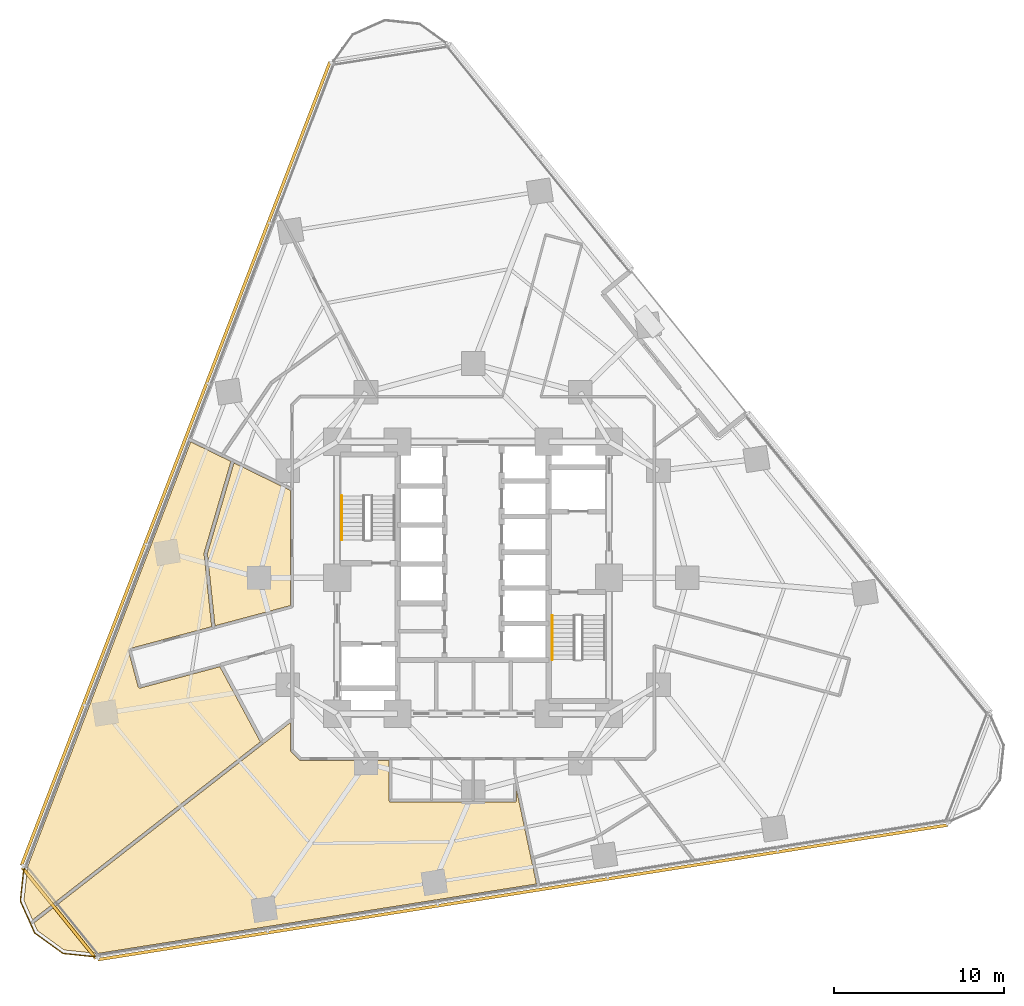
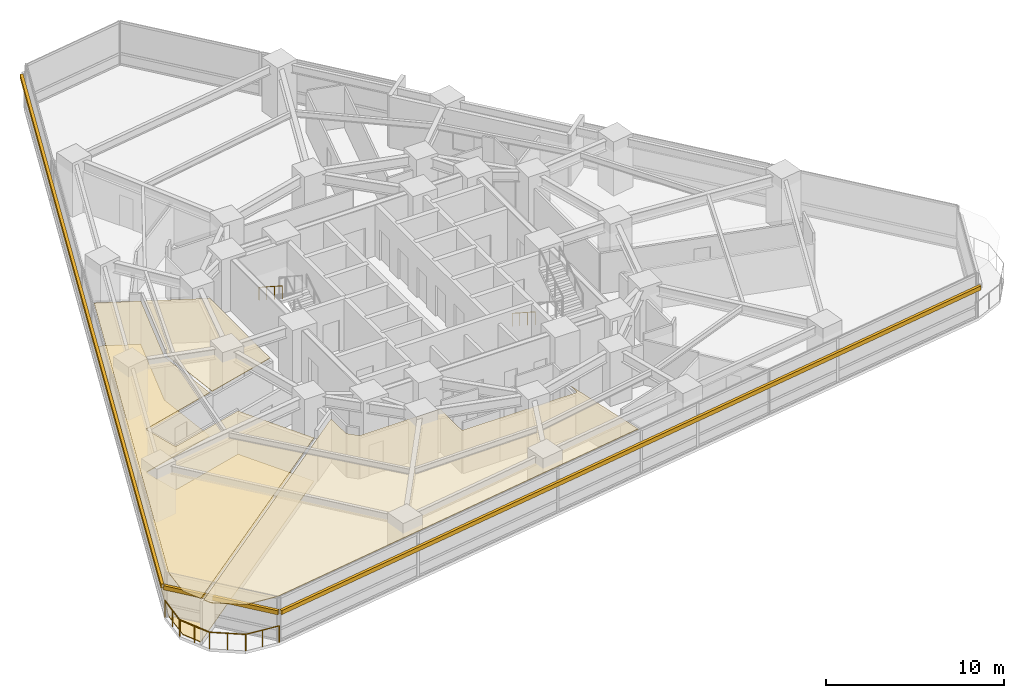
# One storey, part 11 of 13: 4 coverings, 3 railings, 3 shading devices.
"""IFC4 building model written with IfcOpenShell, lengths in metres."""

from ifc_helpers import new_model, si_unit, direction, frame, origin, origin_2d, place, context, subcontext, project, spatial, polyline, rectangle, circle, outline, extrude, material, layer, layer_set, type_object, element, save


model = new_model("IFC4")

# Units and contexts
model_context = context("Model", 3, precision=1e-05, world=origin(), true_north=direction((0.0, 1.0)))
body_context = subcontext(model_context, "Body", "Model", "MODEL_VIEW")
ifc_project = project(units=[si_unit("LENGTHUNIT", "METRE"), si_unit("AREAUNIT", "SQUARE_METRE"), si_unit("VOLUMEUNIT", "CUBIC_METRE"), si_unit("PLANEANGLEUNIT", "RADIAN"), si_unit("MASSUNIT", "GRAM", prefix="KILO")], contexts=[model_context])

# Site, building, storey
site_placement = place(None, origin())
site = spatial("IfcSite", under=ifc_project, at=site_placement, CompositionType="ELEMENT")
building_placement = place(site_placement, origin())
building = spatial("IfcBuilding", under=site, at=building_placement, Name="Terralouvre Media Tower", CompositionType="ELEMENT")
storey_placement = place(building_placement, frame((0.0, 0.0, 77.800048828125)))
storey = spatial("IfcBuildingStorey", under=building, at=storey_placement, Name="L19", CompositionType="ELEMENT", Elevation=77.800048828125)

# Coverings
ifc_material_1 = material(Name="Resilient elastomer acoustic broadcast studio flooring")
ifc_layer_1 = layer(ifc_material_1, 0.050048828125, Name="Broadcast Studio Acoustic Floating Floor FL-AC1")
ifc_layer_set_1 = layer_set([ifc_layer_1], Name="Resilient elastomer acoustic broadcast studio flooring")
covering_type_1 = type_object("IfcCoveringType", Name="Broadcast Studio Acoustic Floating Floor FL-AC1", PredefinedType="FLOORING", material=ifc_layer_set_1)
covering_1_placement = place(storey_placement, frame((0.0, 0.0, 0.0), z_axis=(0.0, 0.0, 1.0), x_axis=(0.987688340595, 0.15643446504, 0.0)))
element("IfcCovering", 1, at=covering_1_placement, inside=storey, type_object=covering_type_1, Name="L19 Treaty Reference Library 4 Acoustic Floating Floor", PredefinedType="FLOORING", context=body_context, shape_type="SweptSolid", body=[
    extrude(outline(polyline([(-15.537109375, -2.839599609375), (-20.361328125, -3.3466796875), (-20.37109375, -3.34716796875), (-20.380859375, -3.3466796875), (-20.390625, -3.34521484375), (-20.400146484375, -3.343017578125), (-20.409423828125, -3.33984375), (-20.418212890625, -3.335693359375), (-20.4267578125, -3.33056640625), (-20.434814453125, -3.324951171875), (-20.44189453125, -3.318359375), (-20.44873046875, -3.31103515625), (-20.45458984375, -3.30322265625), (-20.459716796875, -3.294921875), (-20.4638671875, -3.285888671875), (-20.46728515625, -3.27685546875), (-20.4697265625, -3.267333984375), (-20.47119140625, -3.257568359375), (-20.701904296875, -1.069580078125), (-20.702392578125, -1.059814453125), (-20.701904296875, -1.050048828125), (-20.700439453125, -1.040283203125), (-20.6982421875, -1.03076171875), (-20.695068359375, -1.021484375), (-20.69091796875, -1.0126953125), (-20.685791015625, -1.004150390625), (-20.679931640625, -0.99609375), (-20.673583984375, -0.989013671875), (-20.666259765625, -0.982177734375), (-20.658447265625, -0.976318359375), (-20.650146484375, -0.97119140625), (-20.64111328125, -0.967041015625), (-20.6318359375, -0.963623046875), (-20.62255859375, -0.961181640625), (-20.61279296875, -0.959716796875), (-15.6455078125, -0.4375), (-15.419677734375, 3.872314453125), (-15.41845703125, 3.882080078125), (-15.41650390625, 3.8916015625), (-15.413818359375, 3.90087890625), (-15.41015625, 3.909912109375), (-13.007080078125, 8.985595703125), (-13.517578125, 9.3427734375), (-15.16259765625, 10.494384765625), (-28.561279296875, -12.713134765625), (-29.072509765625, -14.618896484375), (-28.749755859375, -15.82177734375), (-13.875244140625, -7.576904296875), (-15.537109375, -2.839599609375)])), origin(), (0.0, 0.0, 1.0), 0.050048828125),
])
ifc_material_2 = material(Name="Perforated aluminium acoustic ceiling baffle", Category="aluminium")
ifc_layer_2 = layer(ifc_material_2, 0.0400390625, Name="Perforated Acoustic Metal Tile Ceiling CL-AC1")
ifc_layer_set_2 = layer_set([ifc_layer_2], Name="Perforated aluminium acoustic ceiling baffle")
covering_type_2 = type_object("IfcCoveringType", Name="Perforated Acoustic Metal Tile Ceiling CL-AC1", PredefinedType="CEILING", material=ifc_layer_set_2)
covering_2_placement = place(storey_placement, frame((0.0, 0.0, 2.97998046875), z_axis=(0.0, 0.0, 1.0), x_axis=(0.987688340595, 0.15643446504, 0.0)))
element("IfcCovering", 2, at=covering_2_placement, inside=storey, type_object=covering_type_2, Name="L19 Treaty Reference Library 4 Acoustic Ceiling", PredefinedType="CEILING", context=body_context, shape_type="SweptSolid", body=[
    extrude(outline(polyline([(-15.537109375, -2.839599609375), (-20.361328125, -3.3466796875), (-20.37109375, -3.34716796875), (-20.380859375, -3.3466796875), (-20.390625, -3.34521484375), (-20.400146484375, -3.343017578125), (-20.409423828125, -3.33984375), (-20.418212890625, -3.335693359375), (-20.4267578125, -3.33056640625), (-20.434814453125, -3.324951171875), (-20.44189453125, -3.318359375), (-20.44873046875, -3.31103515625), (-20.45458984375, -3.30322265625), (-20.459716796875, -3.294921875), (-20.4638671875, -3.285888671875), (-20.46728515625, -3.27685546875), (-20.4697265625, -3.267333984375), (-20.47119140625, -3.257568359375), (-20.701904296875, -1.069580078125), (-20.702392578125, -1.059814453125), (-20.701904296875, -1.050048828125), (-20.700439453125, -1.040283203125), (-20.6982421875, -1.03076171875), (-20.695068359375, -1.021484375), (-20.69091796875, -1.0126953125), (-20.685791015625, -1.004150390625), (-20.679931640625, -0.99609375), (-20.673583984375, -0.989013671875), (-20.666259765625, -0.982177734375), (-20.658447265625, -0.976318359375), (-20.650146484375, -0.97119140625), (-20.64111328125, -0.967041015625), (-20.6318359375, -0.963623046875), (-20.62255859375, -0.961181640625), (-20.61279296875, -0.959716796875), (-15.6455078125, -0.4375), (-15.419677734375, 3.872314453125), (-15.41845703125, 3.882080078125), (-15.41650390625, 3.8916015625), (-15.413818359375, 3.90087890625), (-15.41015625, 3.909912109375), (-13.007080078125, 8.985595703125), (-13.517578125, 9.3427734375), (-15.16259765625, 10.494384765625), (-28.561279296875, -12.713134765625), (-29.072509765625, -14.618896484375), (-28.749755859375, -15.82177734375), (-13.875244140625, -7.576904296875), (-15.537109375, -2.839599609375)])), origin(), (0.0, 0.0, 1.0), 0.0400390625),
])
covering_3_placement = place(storey_placement, frame((0.0, 0.0, 2.97998046875), z_axis=(0.0, 0.0, 1.0), x_axis=(0.987688340595, 0.15643446504, 0.0)))
element("IfcCovering", 3, at=covering_3_placement, inside=storey, type_object=covering_type_2, Name="L19 Editorial Collaborative Open Office 5 Acoustic Ceiling", PredefinedType="CEILING", context=body_context, shape_type="SweptSolid", body=[
    extrude(outline(polyline([(-15.220947265625, 3.84228515625), (-15.444091796875, -0.416259765625), (-10.8740234375, 0.0634765625), (-9.81494140625, 6.75), (-12.841064453125, 8.869140625), (-15.220947265625, 3.84228515625)])), origin(), (0.0, 0.0, 1.0), 0.0400390625),
])
covering_4_placement = place(storey_placement, frame((0.0, 0.0, 2.97998046875), z_axis=(0.0, 0.0, 1.0), x_axis=(0.987688340595, 0.15643446504, 0.0)))
element("IfcCovering", 4, at=covering_4_placement, inside=storey, type_object=covering_type_2, Name="L19 Press Dispatch Post Room 6 Acoustic Ceiling", PredefinedType="CEILING", context=body_context, shape_type="SweptSolid", body=[
    extrude(outline(polyline([(0.566650390625, -12.722900390625), (0.46923828125, -13.337646484375), (0.46728515625, -13.34716796875), (0.46435546875, -13.356689453125), (0.46044921875, -13.365478515625), (0.455810546875, -13.374267578125), (0.4501953125, -13.38232421875), (0.44384765625, -13.389892578125), (0.43701171875, -13.396728515625), (0.42919921875, -13.40283203125), (0.421142578125, -13.408203125), (0.412353515625, -13.412841796875), (0.4033203125, -13.41650390625), (0.393798828125, -13.419189453125), (0.38427734375, -13.421142578125), (0.37451171875, -13.421875), (0.36474609375, -13.421875), (0.35498046875, -13.420654296875), (-6.855224609375, -12.27880859375), (-6.86474609375, -12.27685546875), (-6.874267578125, -12.27392578125), (-6.88330078125, -12.27001953125), (-6.891845703125, -12.265380859375), (-6.89990234375, -12.259765625), (-6.907470703125, -12.25341796875), (-6.914306640625, -12.246337890625), (-6.92041015625, -12.23876953125), (-6.92578125, -12.23046875), (-6.930419921875, -12.221923828125), (-6.93408203125, -12.212646484375), (-6.936767578125, -12.203369140625), (-6.938720703125, -12.193603515625), (-6.939453125, -12.183837890625), (-6.939453125, -12.174072265625), (-6.938232421875, -12.164306640625), (-6.57080078125, -9.84326171875), (-11.706787109375, -9.02978515625), (-11.71630859375, -9.02783203125), (-11.7255859375, -9.02490234375), (-11.734619140625, -9.02099609375), (-11.743408203125, -9.016357421875), (-11.75146484375, -9.0107421875), (-11.759033203125, -9.00439453125), (-11.765869140625, -8.99755859375), (-11.77197265625, -8.98974609375), (-12.1875, -8.417724609375), (-12.19287109375, -8.409423828125), (-12.197509765625, -8.40087890625), (-12.201171875, -8.391845703125), (-12.203857421875, -8.38232421875), (-12.205810546875, -8.372802734375), (-12.20654296875, -8.363037109375), (-12.20654296875, -8.35302734375), (-12.20556640625, -8.34326171875), (-11.951416015625, -6.7392578125), (-13.704345703125, -7.7109375), (-28.696533203125, -16.020751953125), (-28.569580078125, -16.49462890625), (-27.19580078125, -17.867919921875), (-25.291015625, -18.378173828125), (0.86279296875, -18.37890625), (0.78173828125, -16.831298828125), (0.566650390625, -12.722900390625)])), origin(), (0.0, 0.0, 1.0), 0.0400390625),
])

# Railings
ifc_material_3 = material(Name="Stainless steel 316 handrail and balustrade", Category="steel")
ifc_layer_3 = layer(ifc_material_3, 0.06005859375, Name="Roof Edge Safety Guardrail GR-ROOF1")
ifc_layer_set_3 = layer_set([ifc_layer_3], Name="Stainless steel 316 handrail and balustrade")
railing_type_1 = type_object("IfcRailingType", Name="Roof Edge Safety Guardrail GR-ROOF1", PredefinedType="GUARDRAIL", material=ifc_layer_set_3)
railing_1_placement = place(storey_placement, frame((-26.424560546875, -16.965087890625, 0.0)))
element("IfcRailing", 5, at=railing_1_placement, inside=storey, type_object=railing_type_1, Name="L19 Wind-Corner Perimeter Safety Guardrail C0", PredefinedType="GUARDRAIL", context=body_context, shape_type="SweptSolid", body=[
    extrude(circle(Radius=0.02099609375, at=origin_2d()), frame((0.0, 0.0, 1.12890625), z_axis=(-0.104666273578, -0.994507401267, 0.0), x_axis=(0.994507401267, -0.104666273578, 0.0)), (0.0, 0.0, 1.0), 2.0595703125),
    extrude(circle(Radius=0.02099609375, at=origin_2d()), frame((-0.215576171875, -2.04833984375, 1.12890625), z_axis=(0.406644402356, -0.913586520278, 0.0), x_axis=(0.913586520278, 0.406644402356, 0.0)), (0.0, 0.0, 1.0), 2.059326171875),
    extrude(circle(Radius=0.02099609375, at=origin_2d()), frame((0.621826171875, -3.9296875, 1.12890625), z_axis=(0.809069210714, -0.587713375954, 0.0), x_axis=(0.587713375954, 0.809069210714, 0.0)), (0.0, 0.0, 1.0), 2.05908203125),
    extrude(circle(Radius=0.02099609375, at=origin_2d()), frame((2.287841796875, -5.139892578125, 1.12890625), z_axis=(0.994544355817, -0.104314545068, 0.0), x_axis=(0.104314545068, 0.994544355817, 0.0)), (0.0, 0.0, 1.0), 2.0595703125),
    extrude(circle(Radius=0.01904296875, at=origin_2d()), origin(), (0.0, 0.0, 1.0), 1.10791015625),
    extrude(circle(Radius=0.01904296875, at=origin_2d()), frame((-0.10791015625, -1.024169921875, 0.0)), (0.0, 0.0, 1.0), 1.10791015625),
    extrude(circle(Radius=0.01904296875, at=origin_2d()), frame((-0.215576171875, -2.04833984375, 0.0)), (0.0, 0.0, 1.0), 1.10791015625),
    extrude(circle(Radius=0.01904296875, at=origin_2d()), frame((0.203125, -2.989013671875, 0.0)), (0.0, 0.0, 1.0), 1.10791015625),
    extrude(circle(Radius=0.01904296875, at=origin_2d()), frame((0.621826171875, -3.9296875, 0.0)), (0.0, 0.0, 1.0), 1.10791015625),
    extrude(circle(Radius=0.01904296875, at=origin_2d()), frame((1.454833984375, -4.53466796875, 0.0)), (0.0, 0.0, 1.0), 1.10791015625),
    extrude(circle(Radius=0.01904296875, at=origin_2d()), frame((2.287841796875, -5.139892578125, 0.0)), (0.0, 0.0, 1.0), 1.10791015625),
    extrude(circle(Radius=0.01904296875, at=origin_2d()), frame((3.31201171875, -5.247314453125, 0.0)), (0.0, 0.0, 1.0), 1.10791015625),
    extrude(circle(Radius=0.01904296875, at=origin_2d()), frame((4.336181640625, -5.354736328125, 0.0)), (0.0, 0.0, 1.0), 1.10791015625),
])
ifc_material_4 = material(Name="Stainless steel 316 handrail and balustrade", Category="steel")
ifc_layer_4 = layer(ifc_material_4, 0.050048828125, Name="Stair Flight Wall Handrail HR-INT1")
ifc_layer_set_4 = layer_set([ifc_layer_4], Name="Stainless steel 316 handrail and balustrade")
railing_type_2 = type_object("IfcRailingType", Name="Stair Flight Wall Handrail HR-INT1", PredefinedType="HANDRAIL", material=ifc_layer_set_4)
railing_2_placement = place(storey_placement, frame((-7.72998046875, 4.820068359375, 2.01806640625)))
element("IfcRailing", 6, at=railing_2_placement, inside=storey, type_object=railing_type_2, Name="L19 ST-01 stair handrail 2", PredefinedType="HANDRAIL", context=body_context, shape_type="SweptSolid", body=[
    extrude(circle(Radius=0.02392578125, at=origin_2d()), frame((0.0, 0.0, 0.8759765625), z_axis=(0.0, -0.839648411786, 0.543130320075), x_axis=(1.0, 0.0, 0.0)), (0.0, 0.0, 1.0), 3.0966796875),
    extrude(circle(Radius=0.02099609375, at=origin_2d()), origin(), (0.0, 0.0, 1.0), 0.851806640625),
    extrude(circle(Radius=0.02099609375, at=origin_2d()), frame((0.0, -0.86669921875, 0.560546875)), (0.0, 0.0, 1.0), 0.851806640625),
    extrude(circle(Radius=0.02099609375, at=origin_2d()), frame((0.0, -1.7333984375, 1.121337890625)), (0.0, 0.0, 1.0), 0.851806640625),
    extrude(circle(Radius=0.02099609375, at=origin_2d()), frame((0.0, -2.60009765625, 1.681884765625)), (0.0, 0.0, 1.0), 0.851806640625),
])
railing_3_placement = place(storey_placement, frame((4.64990234375, -2.219970703125, 0.168212890625)))
element("IfcRailing", 7, at=railing_3_placement, inside=storey, type_object=railing_type_2, Name="L19 ST-02 stair handrail 1", PredefinedType="HANDRAIL", context=body_context, shape_type="SweptSolid", body=[
    extrude(circle(Radius=0.02392578125, at=origin_2d()), frame((0.0, 0.0, 0.8759765625), z_axis=(0.0, -0.839684365666, 0.543074733399), x_axis=(1.0, 0.0, 0.0)), (0.0, 0.0, 1.0), 3.096435546875),
    extrude(circle(Radius=0.02099609375, at=origin_2d()), origin(), (0.0, 0.0, 1.0), 0.851806640625),
    extrude(circle(Radius=0.02099609375, at=origin_2d()), frame((0.0, -0.86669921875, 0.560546875)), (0.0, 0.0, 1.0), 0.851806640625),
    extrude(circle(Radius=0.02099609375, at=origin_2d()), frame((0.0, -1.7333984375, 1.12109375)), (0.0, 0.0, 1.0), 0.851806640625),
    extrude(circle(Radius=0.02099609375, at=origin_2d()), frame((0.0, -2.60009765625, 1.681640625)), (0.0, 0.0, 1.0), 0.851806640625),
])

# Shading devices
ifc_material_5 = material(Name="Extruded terracotta baguette sunshade louvres", Category="masonry")
shading_device_type = type_object("IfcShadingDeviceType", Name="Terracotta Baguette Sunshade Louvre Screen TB-LV1", PredefinedType="USERDEFINED", material=ifc_material_5)
for number, where, z_axis, x_axis, name in (
    (8, (2.931396484375, -18.5078125, 2.02392578125), (0.0, 0.0, 1.0), (0.987688340934, 0.156434462903, 0.0), "CW-L19-F0 Terracotta Baguette Sunshade Louvre"),
    (9, (-17.493896484375, 6.71533203125, 2.02392578125), (0.0, 0.0, 1.0), (-0.358367917006, -0.933580438988, 0.0), "CW-L19-F2 Terracotta Baguette Sunshade Louvre"),
):
    element("IfcShadingDevice", number, at=place(storey_placement, frame(where, z_axis=z_axis, x_axis=x_axis)), inside=storey, type_object=shading_device_type, Name=name, ObjectType="BAGUETTE", PredefinedType="USERDEFINED", context=body_context, shape_type="SweptSolid", body=[
        extrude(rectangle(XDim=50.639892578125, YDim=0.179931640625, at=origin_2d()), origin(), (0.0, 0.0, 1.0), 0.280029296875),
    ])
shading_device_placement = place(storey_placement, frame((-24.361328125, -19.727294921875, 2.02392578125), z_axis=(0.0, 0.0, 1.0), x_axis=(0.629320031936, -0.777146252262, 0.0)))
element("IfcShadingDevice", 10, at=shading_device_placement, inside=storey, type_object=shading_device_type, Name="CW-L19-C0 Terracotta Baguette Sunshade Louvre", ObjectType="BAGUETTE", PredefinedType="USERDEFINED", context=body_context, shape_type="SweptSolid", body=[
    extrude(rectangle(XDim=6.8935546875, YDim=0.179931640625, at=origin_2d()), origin(), (0.0, 0.0, 1.0), 0.280029296875),
])

save(model, "model.ifc")
